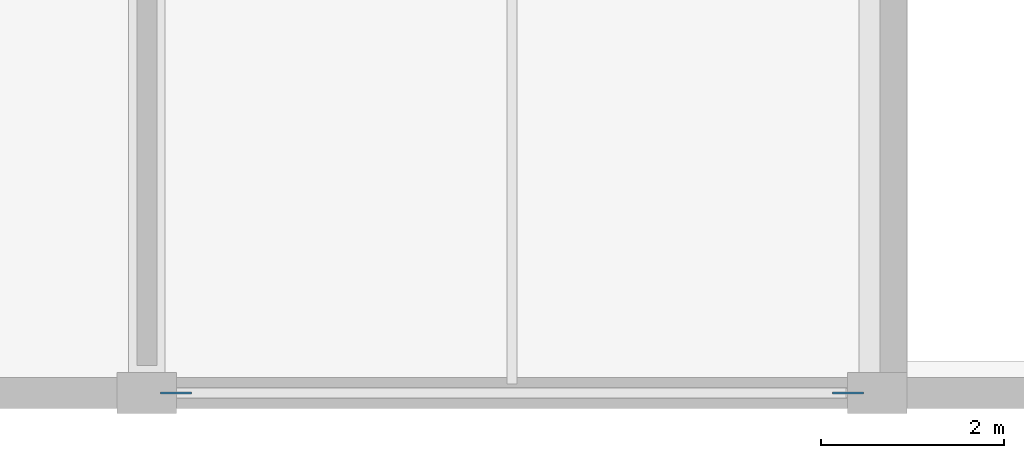
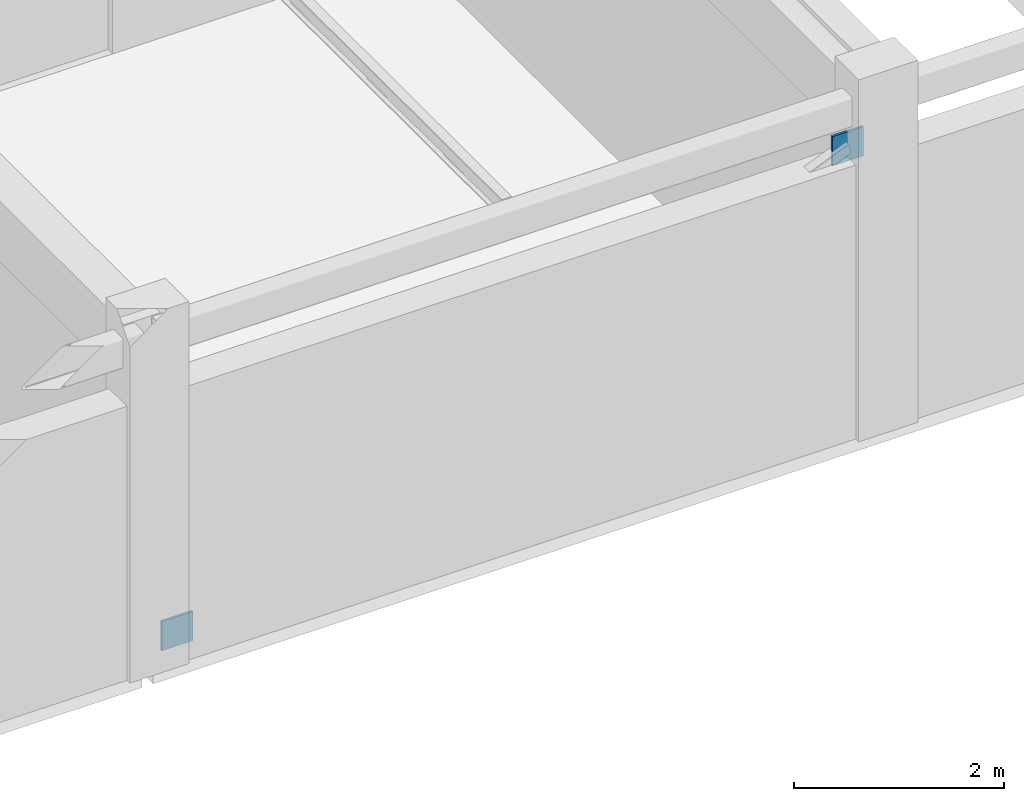
# One storey, part 41 of 63: 2 plates.
"""IFC4 building model written with IfcOpenShell, lengths in metres."""

import ifcopenshell
import ifcopenshell.guid

model = None  # the IFC model being written
_history = None  # IfcOwnerHistory: only IFC2X3 demands one
_inside = {}  # id of a spatial element -> (the spatial element, [elements in it])
_under = {}  # id of a project, library or spatial element -> (it, [spatial elements below it])
_declared = {}  # id of a project -> (the project, [libraries it declares])
_typed = {}  # id of a type object -> (the type object, [elements of that type])
_made_of = {}  # id of a material, layer set ... -> (it, [elements and type objects made of it])


def new_model(schema):
    """Start an empty IFC model of exactly this schema.

    Asked for "IFC4X3", IfcOpenShell would pick the latest addendum, in which some entities
    have other attributes; the version numbers below select the first issue.
    IFC2X3 requires an IfcOwnerHistory on every rooted entity: one is made here for all.
    """
    global model, _history
    if schema == "IFC4X3":
        model = ifcopenshell.file(schema_version=(4, 3, 0, 0))
    else:
        model = ifcopenshell.file(schema=schema)
    _inside.clear()
    _under.clear()
    _declared.clear()
    _typed.clear()
    _made_of.clear()
    _history = None
    if model.schema == "IFC2X3":
        org = make("IfcOrganization", Name="unknown")
        user = make(
            "IfcPersonAndOrganization",
            ThePerson=make("IfcPerson", FamilyName="unknown"),
            TheOrganization=org,
        )
        app = make(
            "IfcApplication",
            ApplicationDeveloper=org,
            Version="unknown",
            ApplicationFullName="unknown",
            ApplicationIdentifier="unknown",
        )
        _history = make(
            "IfcOwnerHistory",
            OwningUser=user,
            OwningApplication=app,
            ChangeAction="ADDED",
            CreationDate=0,
        )
    return model


def make(cls, **values):
    """One entity of the class cls with the attributes given. An attribute that is None is left unset."""
    return model.create_entity(
        cls, **{name: value for name, value in values.items() if value is not None}
    )


def rooted(cls, **values):
    """An entity with a GlobalId (a new one), such as an element, a storey or a relation."""
    return make(cls, GlobalId=ifcopenshell.guid.new(), OwnerHistory=_history, **values)


def si_unit(unit_type, name, prefix=None):
    """IfcSIUnit, for example si_unit("LENGTHUNIT", "METRE", prefix="MILLI")."""
    return make("IfcSIUnit", UnitType=unit_type, Prefix=prefix, Name=name)


def assignment(units):
    """IfcUnitAssignment: the units of a project."""
    return None if units is None else make("IfcUnitAssignment", Units=units)


def point(xyz):
    """IfcCartesianPoint."""
    return None if xyz is None else make("IfcCartesianPoint", Coordinates=xyz)


def direction(xyz):
    """IfcDirection."""
    return None if xyz is None else make("IfcDirection", DirectionRatios=xyz)


def frame(location, z_axis=None, x_axis=None):
    """IfcAxis2Placement3D, a coordinate frame: its origin and axes. An axis left out is left unset."""
    return make(
        "IfcAxis2Placement3D",
        Location=point(location),
        Axis=direction(z_axis),
        RefDirection=direction(x_axis),
    )


def frame_2d(location, x_axis=None):
    """IfcAxis2Placement2D, a coordinate frame in the plane: its origin and x axis."""
    return make(
        "IfcAxis2Placement2D", Location=point(location), RefDirection=direction(x_axis)
    )


def origin():
    """The frame at (0, 0, 0) with its axes left unset."""
    return frame((0.0, 0.0, 0.0))


def origin_2d():
    """The frame at (0, 0) in the plane with its x axis left unset."""
    return frame_2d((0.0, 0.0))


def place(relative_to, where):
    """IfcLocalPlacement: puts the frame where relative to a parent placement (None: the world)."""
    return make(
        "IfcLocalPlacement", PlacementRelTo=relative_to, RelativePlacement=where
    )


def context(
    kind, dimensions, precision=None, world=None, true_north=None, identifier=None
):
    """IfcGeometricRepresentationContext, for example the 3D "Model" context."""
    return make(
        "IfcGeometricRepresentationContext",
        ContextIdentifier=identifier,
        ContextType=kind,
        CoordinateSpaceDimension=dimensions,
        Precision=precision,
        WorldCoordinateSystem=world,
        TrueNorth=true_north,
    )


def subcontext(parent, identifier, kind, view, scale=None):
    """IfcGeometricRepresentationSubContext, for example "Body" below "Model"."""
    return make(
        "IfcGeometricRepresentationSubContext",
        ContextIdentifier=identifier,
        ContextType=kind,
        ParentContext=parent,
        TargetScale=scale,
        TargetView=view,
    )


def project(units=None, contexts=None):
    """IfcProject with its units and contexts."""
    return rooted(
        "IfcProject",
        Name="project",
        RepresentationContexts=contexts,
        UnitsInContext=assignment(units),
    )


def spatial(cls, under=None, at=None, **own):
    """A site, building, storey or space (cls), placed at a placement, below another one or the project."""
    s = rooted(cls, ObjectPlacement=at, **own)
    if under is not None:
        _under.setdefault(under.id(), (under, []))[1].append(s)
    return s


def profile(cls, at=None, kind="AREA", **sizes):
    """A parametric profile (cls). Its sizes go by their IFC names, for example OverallWidth=200.0."""
    return make(cls, ProfileType=kind, Position=at, **sizes)


def rectangle(**sizes):
    """IfcRectangleProfileDef."""
    return profile("IfcRectangleProfileDef", **sizes)


def extrude(swept, where, along, depth):
    """IfcExtrudedAreaSolid: the profile swept, set in the frame where, extruded along a direction by depth."""
    return make(
        "IfcExtrudedAreaSolid",
        SweptArea=swept,
        Position=where,
        ExtrudedDirection=direction(along),
        Depth=depth,
    )


def shape(context_of_items, identifier, shape_type, items):
    """IfcShapeRepresentation: the items that make up one representation, for example the "Body"."""
    return make(
        "IfcShapeRepresentation",
        ContextOfItems=context_of_items,
        RepresentationIdentifier=identifier,
        RepresentationType=shape_type,
        Items=items,
    )


def material(Name=None, Category=None):
    """IfcMaterial."""
    return make("IfcMaterial", Name=Name, Category=Category)


def layer(
    of_material, thickness, ventilated=None, Name=None, Category=None, Priority=None
):
    """IfcMaterialLayer: one layer of a wall or slab, of a material (None: an air gap)."""
    return make(
        "IfcMaterialLayer",
        Material=of_material,
        LayerThickness=thickness,
        IsVentilated=ventilated,
        Name=Name,
        Category=Category,
        Priority=Priority,
    )


def layer_set(layers, Name=None):
    """IfcMaterialLayerSet."""
    return make("IfcMaterialLayerSet", MaterialLayers=layers, LayerSetName=Name)


def made_of(thing, what):
    """Note that an element or type object is made of a material, layer set ...; save() writes the relation."""
    if what is not None:
        _made_of.setdefault(what.id(), (what, []))[1].append(thing)
    return thing


def type_object(cls, material=None, **own):
    """A type object (cls), such as IfcWallType, which elements share."""
    return made_of(rooted(cls, **own), material)


def element(
    cls,
    number,
    at=None,
    inside=None,
    cuts=None,
    type_object=None,
    material=None,
    context=None,
    identifier="Body",
    shape_type=None,
    held_by="IfcProductDefinitionShape",
    body=None,
    shapes=None,
    **own,
):
    """One element of the class cls, such as IfcWall. Its Tag is "e" and its number.

    at: its placement. inside: the storey or other place that contains it. cuts: it is an
    opening in that element (IfcRelVoidsElement). A single representation is given by context,
    identifier, shape_type and body (its items); several are given by shapes. held_by: the class
    of the entity that holds the representations. save() writes the other relations.
    """
    e = rooted(cls, Tag="e%d" % number, ObjectPlacement=at, **own)
    if body is not None:
        shapes = [shape(context, identifier, shape_type, body)]
    if shapes is not None:
        e.Representation = make(held_by, Representations=shapes)
    if inside is not None:
        _inside.setdefault(inside.id(), (inside, []))[1].append(e)
    if cuts is not None:
        rooted(
            "IfcRelVoidsElement", RelatingBuildingElement=cuts, RelatedOpeningElement=e
        )
    if type_object is not None:
        _typed.setdefault(type_object.id(), (type_object, []))[1].append(e)
    return made_of(e, material)


def aggregate(whole, parts):
    """IfcRelAggregates: a whole, such as a stair, and the parts it consists of."""
    return rooted("IfcRelAggregates", RelatingObject=whole, RelatedObjects=parts)


def save(model, path):
    """Write the relations noted so far, then the file.

    IfcRelAggregates (storeys below a building ...), IfcRelContainedInSpatialStructure (elements
    in a storey), IfcRelDefinesByType, IfcRelAssociatesMaterial and IfcRelDeclares: one each for
    every whole, place, type object, material and project.
    """
    for whole, parts in _under.values():
        aggregate(whole, parts)
    for where, things in _inside.values():
        rooted(
            "IfcRelContainedInSpatialStructure",
            RelatedElements=things,
            RelatingStructure=where,
        )
    for kind, things in _typed.values():
        rooted("IfcRelDefinesByType", RelatedObjects=things, RelatingType=kind)
    for what, things in _made_of.values():
        rooted("IfcRelAssociatesMaterial", RelatedObjects=things, RelatingMaterial=what)
    for by, libraries in _declared.values():
        rooted("IfcRelDeclares", RelatingContext=by, RelatedDefinitions=libraries)
    model.write(path)


model = new_model("IFC4")

# Units and contexts
model_context = context("Model", 3, precision=1e-05, world=origin(), true_north=direction((0.0, 1.0)))
body_context = subcontext(model_context, "Body", "Model", "MODEL_VIEW")
ifc_project = project(units=[si_unit("LENGTHUNIT", "METRE"), si_unit("AREAUNIT", "SQUARE_METRE"), si_unit("VOLUMEUNIT", "CUBIC_METRE"), si_unit("PLANEANGLEUNIT", "RADIAN"), si_unit("MASSUNIT", "GRAM", prefix="KILO")], contexts=[model_context])

# Site, building, storey
site_placement = place(None, origin())
site = spatial("IfcSite", under=ifc_project, at=site_placement, CompositionType="ELEMENT")
building_placement = place(site_placement, origin())
building = spatial("IfcBuilding", under=site, at=building_placement, Name="Varnabhumi Central Station", CompositionType="ELEMENT")
storey_placement = place(building_placement, frame((0.0, 0.0, 20.39990234375)))
storey = spatial("IfcBuildingStorey", under=building, at=storey_placement, Name="L04", CompositionType="ELEMENT", Elevation=20.39990234375)

# Plates
ifc_material = material(Name="Structural steel E350", Category="steel")
ifc_layer = layer(ifc_material, 0.031982421875, Name="Structural steel E350", Category="steel")
ifc_layer_set = layer_set([ifc_layer], Name="Structural steel E350")
plate_type = type_object("IfcPlateType", Name="PLT-GUSSET-A", PredefinedType="USERDEFINED", material=ifc_layer_set)
for number, where, z_axis, x_axis, name in (
    (1, (64.320068359375, 0.0, 0.080078125), (0.0, 0.0, 1.0), (1.0, 0.0, 0.0), "Lateral Brace End Gusset WB-5-B"),
    (2, (71.679931640625, 0.0, 3.1298828125), (0.0, 0.0, 1.0), (1.0, 0.0, 0.0), "Lateral Brace End Gusset WB-5-T"),
):
    element("IfcPlate", number, at=place(storey_placement, frame(where, z_axis=z_axis, x_axis=x_axis)), inside=storey, type_object=plate_type, Name=name, ObjectType="GUSSET PLATE", PredefinedType="USERDEFINED", context=body_context, shape_type="SweptSolid", body=[
        extrude(rectangle(XDim=0.340087890625, YDim=0.02490234375, at=origin_2d()), origin(), (0.0, 0.0, 1.0), 0.340087890625),
    ])

save(model, "model.ifc")
